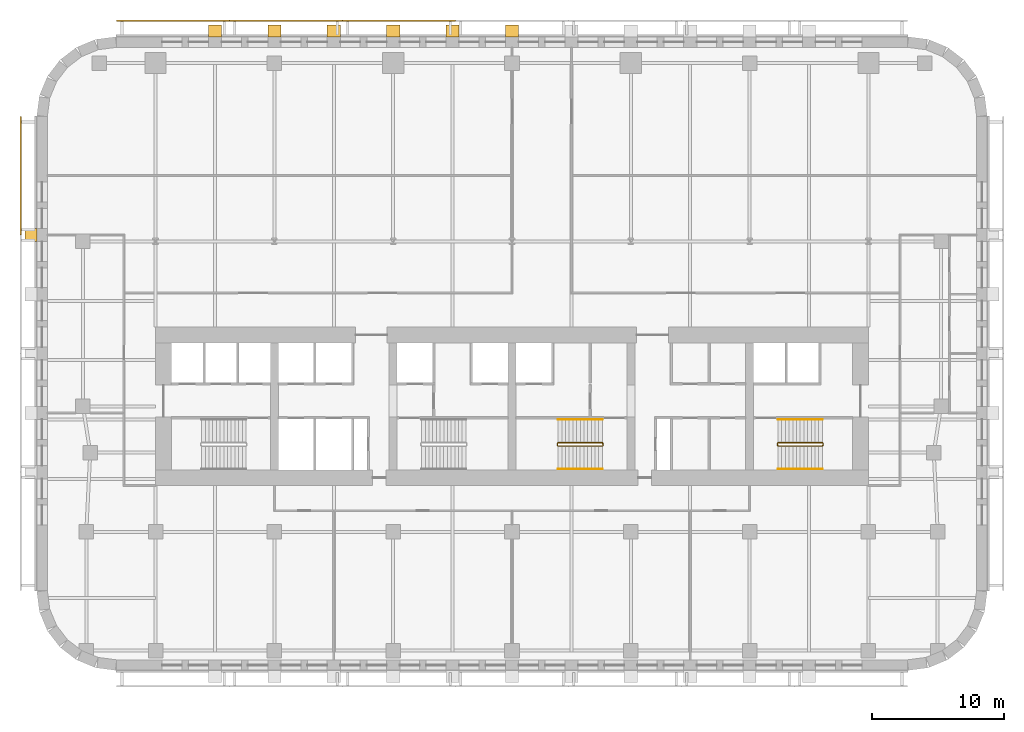
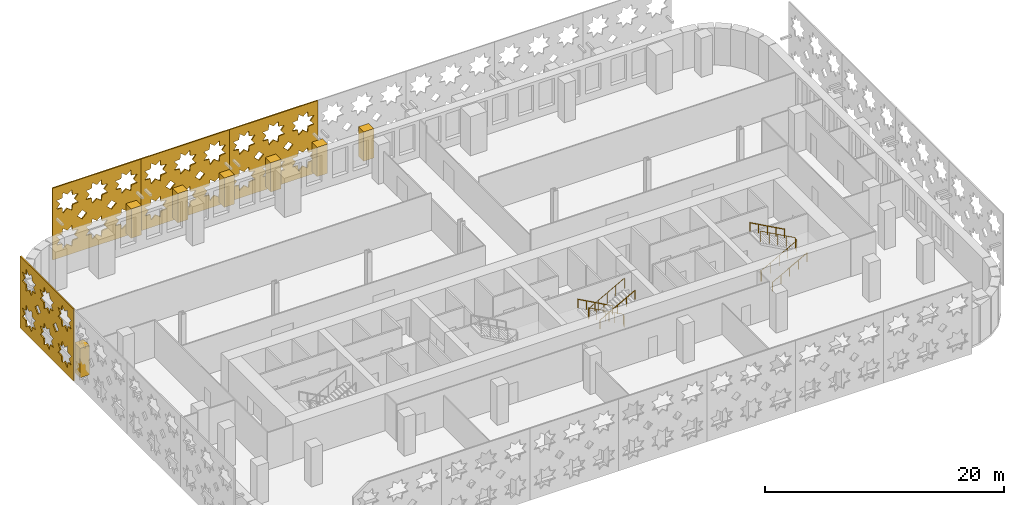
# One storey, part 13 of 15: 11 coverings, 6 railings.
"""IFC4 building model written with IfcOpenShell, lengths in metres."""

from ifc_helpers import new_model, si_unit, direction, frame, origin, origin_2d, place, context, subcontext, project, spatial, polyline, circle, outline, extrude, material, layer, layer_set, type_object, element, save


model = new_model("IFC4")

# Units and contexts
model_context = context("Model", 3, precision=1e-05, world=origin(), true_north=direction((0.0, 1.0)))
body_context = subcontext(model_context, "Body", "Model", "MODEL_VIEW")
ifc_project = project(units=[si_unit("LENGTHUNIT", "METRE"), si_unit("AREAUNIT", "SQUARE_METRE"), si_unit("VOLUMEUNIT", "CUBIC_METRE"), si_unit("PLANEANGLEUNIT", "RADIAN"), si_unit("MASSUNIT", "GRAM", prefix="KILO")], contexts=[model_context])

# Site, building, storey
site_placement = place(None, origin())
site = spatial("IfcSite", under=ifc_project, at=site_placement, CompositionType="ELEMENT")
building_placement = place(site_placement, origin())
building = spatial("IfcBuilding", under=site, at=building_placement, Name="Zellij Exchange Tower", CompositionType="ELEMENT")
storey_placement = place(building_placement, frame((0.0, 0.0, 84.5)))
storey = spatial("IfcBuildingStorey", under=building, at=storey_placement, Name="L17", CompositionType="ELEMENT", Elevation=84.5)

# Railings
ifc_material_1 = material(Name="Stainless steel", Category="steel")
railing_type_1 = type_object("IfcRailingType", Name="CORE-RG stair guard", PredefinedType="GUARDRAIL", material=ifc_material_1)
railing_1_placement = place(storey_placement, frame((6.89990234375, -10.800048828125, 0.0)))
element("IfcRailing", 1, at=railing_1_placement, inside=storey, type_object=railing_type_1, Name="ST3 stair guard L17", PredefinedType="GUARDRAIL", context=body_context, shape_type="SweptSolid", body=[
    extrude(circle(Radius=0.02392578125, at=origin_2d()), frame((0.0, 0.0, 1.076171875), z_axis=(0.0, -1.0, 0.0), x_axis=(1.0, 0.0, 0.0)), (0.0, 0.0, 1.0), 0.14990234375),
    extrude(circle(Radius=0.02392578125, at=origin_2d()), frame((0.0, -0.14990234375, 1.076171875), z_axis=(-0.193691321961, 0.777613689637, 0.598164376644), x_axis=(-0.970351222016, -0.241699205484, 0.0)), (0.0, 0.0, 1.0), 0.257080078125),
    extrude(circle(Radius=0.02392578125, at=origin_2d()), frame((-0.0498046875, 0.050048828125, 1.22998046875), z_axis=(-0.876421534553, 0.0, 0.481544695509), x_axis=(0.0, -1.0, 0.0)), (0.0, 0.0, 1.0), 3.833984375),
    extrude(circle(Radius=0.02392578125, at=origin_2d()), frame((-3.409912109375, 0.050048828125, 3.076171875), z_axis=(-0.707106781187, -0.707106781187, 0.0), x_axis=(0.707106781187, -0.707106781187, 0.0)), (0.0, 0.0, 1.0), 0.07080078125),
    extrude(circle(Radius=0.02392578125, at=origin_2d()), frame((-3.4599609375, 0.0, 3.076171875), z_axis=(0.0, -1.0, 0.0), x_axis=(1.0, 0.0, 0.0)), (0.0, 0.0, 1.0), 0.14990234375),
    extrude(circle(Radius=0.02392578125, at=origin_2d()), frame((-3.4599609375, -0.14990234375, 3.076171875), z_axis=(0.295599637079, -0.295599637079, 0.908428152975), x_axis=(0.707106781187, 0.707106781187, 0.0)), (0.0, 0.0, 1.0), 0.16943359375),
    extrude(circle(Radius=0.02392578125, at=origin_2d()), frame((-3.409912109375, -0.199951171875, 3.22998046875), z_axis=(0.876421534553, 0.0, 0.481544695509), x_axis=(0.0, 1.0, 0.0)), (0.0, 0.0, 1.0), 3.833984375),
    extrude(circle(Radius=0.02099609375, at=origin_2d()), origin(), (0.0, 0.0, 1.0), 1.052001953125),
    extrude(circle(Radius=0.02099609375, at=origin_2d()), frame((0.0, -0.14990234375, 0.0)), (0.0, 0.0, 1.0), 1.052001953125),
    extrude(circle(Radius=0.02099609375, at=origin_2d()), frame((-0.0498046875, 0.050048828125, 0.15380859375)), (0.0, 0.0, 1.0), 1.052001953125),
    extrude(circle(Radius=0.02099609375, at=origin_2d()), frame((-0.889892578125, 0.050048828125, 0.615234375)), (0.0, 0.0, 1.0), 1.052001953125),
    extrude(circle(Radius=0.02099609375, at=origin_2d()), frame((-1.72998046875, 0.050048828125, 1.076904296875)), (0.0, 0.0, 1.0), 1.052001953125),
    extrude(circle(Radius=0.02099609375, at=origin_2d()), frame((-2.56982421875, 0.050048828125, 1.53857421875)), (0.0, 0.0, 1.0), 1.052001953125),
    extrude(circle(Radius=0.02099609375, at=origin_2d()), frame((-3.409912109375, 0.050048828125, 2.0)), (0.0, 0.0, 1.0), 1.052001953125),
    extrude(circle(Radius=0.02099609375, at=origin_2d()), frame((-3.4599609375, 0.0, 2.0)), (0.0, 0.0, 1.0), 1.052001953125),
    extrude(circle(Radius=0.02099609375, at=origin_2d()), frame((-3.4599609375, -0.14990234375, 2.0)), (0.0, 0.0, 1.0), 1.052001953125),
    extrude(circle(Radius=0.02099609375, at=origin_2d()), frame((-3.409912109375, -0.199951171875, 2.15380859375)), (0.0, 0.0, 1.0), 1.052001953125),
    extrude(circle(Radius=0.02099609375, at=origin_2d()), frame((-2.56982421875, -0.199951171875, 2.615234375)), (0.0, 0.0, 1.0), 1.052001953125),
    extrude(circle(Radius=0.02099609375, at=origin_2d()), frame((-1.72998046875, -0.199951171875, 3.076904296875)), (0.0, 0.0, 1.0), 1.052001953125),
    extrude(circle(Radius=0.02099609375, at=origin_2d()), frame((-0.889892578125, -0.199951171875, 3.53857421875)), (0.0, 0.0, 1.0), 1.052001953125),
    extrude(circle(Radius=0.02099609375, at=origin_2d()), frame((-0.0498046875, -0.199951171875, 4.0)), (0.0, 0.0, 1.0), 1.052001953125),
])
railing_2_placement = place(storey_placement, frame((20.10009765625, -10.949951171875, 0.0)))
element("IfcRailing", 2, at=railing_2_placement, inside=storey, type_object=railing_type_1, Name="ST4 stair guard L17", PredefinedType="GUARDRAIL", context=body_context, shape_type="SweptSolid", body=[
    extrude(circle(Radius=0.02392578125, at=origin_2d()), frame((0.0, 0.0, 1.076171875), z_axis=(0.0, 1.0, 0.0), x_axis=(-1.0, 0.0, 0.0)), (0.0, 0.0, 1.0), 0.14990234375),
    extrude(circle(Radius=0.02392578125, at=origin_2d()), frame((0.0, 0.14990234375, 1.076171875), z_axis=(0.193691321961, -0.777613689637, 0.598164376644), x_axis=(0.970351222016, 0.241699205484, 0.0)), (0.0, 0.0, 1.0), 0.257080078125),
    extrude(circle(Radius=0.02392578125, at=origin_2d()), frame((0.0498046875, -0.050048828125, 1.22998046875), z_axis=(0.876421534553, 0.0, 0.481544695509), x_axis=(0.0, 1.0, 0.0)), (0.0, 0.0, 1.0), 3.833984375),
    extrude(circle(Radius=0.02392578125, at=origin_2d()), frame((3.409912109375, -0.050048828125, 3.076171875), z_axis=(0.707106781187, 0.707106781187, 0.0), x_axis=(-0.707106781187, 0.707106781187, 0.0)), (0.0, 0.0, 1.0), 0.07080078125),
    extrude(circle(Radius=0.02392578125, at=origin_2d()), frame((3.4599609375, 0.0, 3.076171875), z_axis=(0.0, 1.0, 0.0), x_axis=(-1.0, 0.0, 0.0)), (0.0, 0.0, 1.0), 0.14990234375),
    extrude(circle(Radius=0.02392578125, at=origin_2d()), frame((3.4599609375, 0.14990234375, 3.076171875), z_axis=(-0.295599637079, 0.295599637079, 0.908428152975), x_axis=(-0.707106781187, -0.707106781187, 0.0)), (0.0, 0.0, 1.0), 0.16943359375),
    extrude(circle(Radius=0.02392578125, at=origin_2d()), frame((3.409912109375, 0.199951171875, 3.22998046875), z_axis=(-0.876421534553, 0.0, 0.481544695509), x_axis=(0.0, -1.0, 0.0)), (0.0, 0.0, 1.0), 3.833984375),
    extrude(circle(Radius=0.02099609375, at=origin_2d()), origin(), (0.0, 0.0, 1.0), 1.052001953125),
    extrude(circle(Radius=0.02099609375, at=origin_2d()), frame((0.0, 0.14990234375, 0.0)), (0.0, 0.0, 1.0), 1.052001953125),
    extrude(circle(Radius=0.02099609375, at=origin_2d()), frame((0.0498046875, -0.050048828125, 0.15380859375)), (0.0, 0.0, 1.0), 1.052001953125),
    extrude(circle(Radius=0.02099609375, at=origin_2d()), frame((0.889892578125, -0.050048828125, 0.615234375)), (0.0, 0.0, 1.0), 1.052001953125),
    extrude(circle(Radius=0.02099609375, at=origin_2d()), frame((1.72998046875, -0.050048828125, 1.076904296875)), (0.0, 0.0, 1.0), 1.052001953125),
    extrude(circle(Radius=0.02099609375, at=origin_2d()), frame((2.56982421875, -0.050048828125, 1.53857421875)), (0.0, 0.0, 1.0), 1.052001953125),
    extrude(circle(Radius=0.02099609375, at=origin_2d()), frame((3.409912109375, -0.050048828125, 2.0)), (0.0, 0.0, 1.0), 1.052001953125),
    extrude(circle(Radius=0.02099609375, at=origin_2d()), frame((3.4599609375, 0.0, 2.0)), (0.0, 0.0, 1.0), 1.052001953125),
    extrude(circle(Radius=0.02099609375, at=origin_2d()), frame((3.4599609375, 0.14990234375, 2.0)), (0.0, 0.0, 1.0), 1.052001953125),
    extrude(circle(Radius=0.02099609375, at=origin_2d()), frame((3.409912109375, 0.199951171875, 2.15380859375)), (0.0, 0.0, 1.0), 1.052001953125),
    extrude(circle(Radius=0.02099609375, at=origin_2d()), frame((2.56982421875, 0.199951171875, 2.615234375)), (0.0, 0.0, 1.0), 1.052001953125),
    extrude(circle(Radius=0.02099609375, at=origin_2d()), frame((1.72998046875, 0.199951171875, 3.076904296875)), (0.0, 0.0, 1.0), 1.052001953125),
    extrude(circle(Radius=0.02099609375, at=origin_2d()), frame((0.889892578125, 0.199951171875, 3.53857421875)), (0.0, 0.0, 1.0), 1.052001953125),
    extrude(circle(Radius=0.02099609375, at=origin_2d()), frame((0.0498046875, 0.199951171875, 4.0)), (0.0, 0.0, 1.0), 1.052001953125),
])
railing_type_2 = type_object("IfcRailingType", Name="CORE-RH stair handrail", PredefinedType="HANDRAIL", material=ifc_material_1)
railing_3_placement = place(storey_placement, frame((6.85009765625, -9.0, 0.15380859375)))
element("IfcRailing", 3, at=railing_3_placement, inside=storey, type_object=railing_type_2, Name="ST3 stair handrail L17", PredefinedType="HANDRAIL", context=body_context, shape_type="SweptSolid", body=[
    extrude(circle(Radius=0.02392578125, at=origin_2d()), frame((0.0, 0.0, 0.8759765625), z_axis=(-0.876421534553, 0.0, 0.481544695509), x_axis=(0.0, -1.0, 0.0)), (0.0, 0.0, 1.0), 3.833984375),
    extrude(circle(Radius=0.02099609375, at=origin_2d()), origin(), (0.0, 0.0, 1.0), 0.851806640625),
    extrude(circle(Radius=0.02099609375, at=origin_2d()), frame((-0.840087890625, 0.0, 0.46142578125)), (0.0, 0.0, 1.0), 0.851806640625),
    extrude(circle(Radius=0.02099609375, at=origin_2d()), frame((-1.68017578125, 0.0, 0.923095703125)), (0.0, 0.0, 1.0), 0.851806640625),
    extrude(circle(Radius=0.02099609375, at=origin_2d()), frame((-2.52001953125, 0.0, 1.384765625)), (0.0, 0.0, 1.0), 0.851806640625),
    extrude(circle(Radius=0.02099609375, at=origin_2d()), frame((-3.360107421875, 0.0, 1.84619140625)), (0.0, 0.0, 1.0), 0.851806640625),
])
for number, where, name in (
    (4, (3.489990234375, -12.75, 2.15380859375), "ST3 stair handrail L17"),
    (5, (20.14990234375, -12.75, 0.15380859375), "ST4 stair handrail L17"),
):
    element("IfcRailing", number, at=place(storey_placement, frame(where)), inside=storey, type_object=railing_type_2, Name=name, PredefinedType="HANDRAIL", context=body_context, shape_type="SweptSolid", body=[
        extrude(circle(Radius=0.02392578125, at=origin_2d()), frame((0.0, 0.0, 0.8759765625), z_axis=(0.876421534553, 0.0, 0.481544695509), x_axis=(0.0, 1.0, 0.0)), (0.0, 0.0, 1.0), 3.833984375),
        extrude(circle(Radius=0.02099609375, at=origin_2d()), origin(), (0.0, 0.0, 1.0), 0.851806640625),
        extrude(circle(Radius=0.02099609375, at=origin_2d()), frame((0.840087890625, 0.0, 0.46142578125)), (0.0, 0.0, 1.0), 0.851806640625),
        extrude(circle(Radius=0.02099609375, at=origin_2d()), frame((1.68017578125, 0.0, 0.923095703125)), (0.0, 0.0, 1.0), 0.851806640625),
        extrude(circle(Radius=0.02099609375, at=origin_2d()), frame((2.52001953125, 0.0, 1.384765625)), (0.0, 0.0, 1.0), 0.851806640625),
        extrude(circle(Radius=0.02099609375, at=origin_2d()), frame((3.360107421875, 0.0, 1.84619140625)), (0.0, 0.0, 1.0), 0.851806640625),
    ])
railing_4_placement = place(storey_placement, frame((23.510009765625, -9.0, 2.15380859375)))
element("IfcRailing", 6, at=railing_4_placement, inside=storey, type_object=railing_type_2, Name="ST4 stair handrail L17", PredefinedType="HANDRAIL", context=body_context, shape_type="SweptSolid", body=[
    extrude(circle(Radius=0.02392578125, at=origin_2d()), frame((0.0, 0.0, 0.8759765625), z_axis=(-0.876421534553, 0.0, 0.481544695509), x_axis=(0.0, -1.0, 0.0)), (0.0, 0.0, 1.0), 3.833984375),
    extrude(circle(Radius=0.02099609375, at=origin_2d()), origin(), (0.0, 0.0, 1.0), 0.851806640625),
    extrude(circle(Radius=0.02099609375, at=origin_2d()), frame((-0.840087890625, 0.0, 0.46142578125)), (0.0, 0.0, 1.0), 0.851806640625),
    extrude(circle(Radius=0.02099609375, at=origin_2d()), frame((-1.68017578125, 0.0, 0.923095703125)), (0.0, 0.0, 1.0), 0.851806640625),
    extrude(circle(Radius=0.02099609375, at=origin_2d()), frame((-2.52001953125, 0.0, 1.384765625)), (0.0, 0.0, 1.0), 0.851806640625),
    extrude(circle(Radius=0.02099609375, at=origin_2d()), frame((-3.360107421875, 0.0, 1.84619140625)), (0.0, 0.0, 1.0), 0.851806640625),
])

# Coverings
ifc_material_2 = material(Name="Limestone cladding", Category="masonry")
covering_type_1 = type_object("IfcCoveringType", Name="ENV-CV2 Stone pier 1000x900", PredefinedType="CLADDING", material=ifc_material_2)
covering_1_placement = place(storey_placement, frame((0.0, 0.0, 0.800048828125)))
element("IfcCovering", 7, at=covering_1_placement, inside=storey, type_object=covering_type_1, Name="Stone pier", PredefinedType="CLADDING", context=body_context, shape_type="SweptSolid", body=[
    extrude(outline(polyline([(0.5, 20.0), (-0.5, 20.0), (-0.5, 20.89990234375), (0.5, 20.89990234375), (0.5, 20.0)])), origin(), (0.0, 0.0, 1.0), 3.0),
])
covering_2_placement = place(storey_placement, frame((0.0, 0.0, 0.800048828125)))
element("IfcCovering", 8, at=covering_2_placement, inside=storey, type_object=covering_type_1, Name="Stone pier", PredefinedType="CLADDING", context=body_context, shape_type="SweptSolid", body=[
    extrude(outline(polyline([(-4.0, 20.0), (-5.0, 20.0), (-5.0, 20.89990234375), (-4.0, 20.89990234375), (-4.0, 20.0)])), origin(), (0.0, 0.0, 1.0), 3.0),
])
covering_3_placement = place(storey_placement, frame((0.0, 0.0, 0.800048828125)))
element("IfcCovering", 9, at=covering_3_placement, inside=storey, type_object=covering_type_1, Name="Stone pier", PredefinedType="CLADDING", context=body_context, shape_type="SweptSolid", body=[
    extrude(outline(polyline([(-8.5, 20.0), (-9.5, 20.0), (-9.5, 20.89990234375), (-8.5, 20.89990234375), (-8.5, 20.0)])), origin(), (0.0, 0.0, 1.0), 3.0),
])
covering_4_placement = place(storey_placement, frame((0.0, 0.0, 0.800048828125)))
element("IfcCovering", 10, at=covering_4_placement, inside=storey, type_object=covering_type_1, Name="Stone pier", PredefinedType="CLADDING", context=body_context, shape_type="SweptSolid", body=[
    extrude(outline(polyline([(-13.0, 20.0), (-14.0, 20.0), (-14.0, 20.89990234375), (-13.0, 20.89990234375), (-13.0, 20.0)])), origin(), (0.0, 0.0, 1.0), 3.0),
])
covering_5_placement = place(storey_placement, frame((0.0, 0.0, 0.800048828125)))
element("IfcCovering", 11, at=covering_5_placement, inside=storey, type_object=covering_type_1, Name="Stone pier", PredefinedType="CLADDING", context=body_context, shape_type="SweptSolid", body=[
    extrude(outline(polyline([(-17.5, 20.0), (-18.5, 20.0), (-18.5, 20.89990234375), (-17.5, 20.89990234375), (-17.5, 20.0)])), origin(), (0.0, 0.0, 1.0), 3.0),
])
covering_6_placement = place(storey_placement, frame((0.0, 0.0, 0.800048828125)))
element("IfcCovering", 12, at=covering_6_placement, inside=storey, type_object=covering_type_1, Name="Stone pier", PredefinedType="CLADDING", context=body_context, shape_type="SweptSolid", body=[
    extrude(outline(polyline([(-22.0, 20.0), (-23.0, 20.0), (-23.0, 20.89990234375), (-22.0, 20.89990234375), (-22.0, 20.0)])), origin(), (0.0, 0.0, 1.0), 3.0),
])
covering_7_placement = place(storey_placement, frame((0.0, 0.0, 0.800048828125)))
element("IfcCovering", 13, at=covering_7_placement, inside=storey, type_object=covering_type_1, Name="Stone pier", PredefinedType="CLADDING", context=body_context, shape_type="SweptSolid", body=[
    extrude(outline(polyline([(-36.0, 5.48681640625), (-36.0, 4.48681640625), (-36.89990234375, 4.48681640625), (-36.89990234375, 5.48681640625), (-36.0, 5.48681640625)])), origin(), (0.0, 0.0, 1.0), 3.0),
])
ifc_material_3 = material(Name="Limestone screen", Category="masonry")
ifc_layer = layer(ifc_material_3, 0.1201171875)
ifc_layer_set = layer_set([ifc_layer], Name="Limestone screen")
covering_type_2 = type_object("IfcCoveringType", Name="ENV-SC1 Pierced stone screen 120", PredefinedType="USERDEFINED", material=ifc_layer_set)
covering_8_placement = place(storey_placement, frame((-37.2099609375, 13.947509765625, 0.300048828125), z_axis=(0.0, 0.0, 1.0), x_axis=(0.0, -1.0, 0.0)))
element("IfcCovering", 14, at=covering_8_placement, inside=storey, type_object=covering_type_2, Name="Pierced stone screen", ObjectType="SCREEN", PredefinedType="USERDEFINED", context=body_context, shape_type="SweptSolid", body=[
    extrude(outline(polyline([(0.0, 0.0), (8.973876953125, 0.0), (8.973876953125, 7.35009765625), (0.0, 7.35009765625), (0.0, 0.0)]), holes=[polyline([(2.60107421875, 2.29541015625), (2.020263671875, 2.362060546875), (1.95361328125, 2.94287109375), (1.49560546875, 2.579345703125), (1.03759765625, 2.94287109375), (0.97119140625, 2.362060546875), (0.39013671875, 2.29541015625), (0.75390625, 1.83740234375), (0.39013671875, 1.379638671875), (0.97119140625, 1.31298828125), (1.03759765625, 0.732177734375), (1.49560546875, 1.095703125), (1.95361328125, 0.732177734375), (2.020263671875, 1.31298828125), (2.60107421875, 1.379638671875), (2.237548828125, 1.83740234375), (2.60107421875, 2.29541015625)]), polyline([(2.60107421875, 5.970458984375), (2.020263671875, 6.037109375), (1.95361328125, 6.617919921875), (1.49560546875, 6.25439453125), (1.03759765625, 6.617919921875), (0.97119140625, 6.037109375), (0.39013671875, 5.970458984375), (0.75390625, 5.512451171875), (0.39013671875, 5.0546875), (0.97119140625, 4.98779296875), (1.03759765625, 4.406982421875), (1.49560546875, 4.770751953125), (1.95361328125, 4.406982421875), (2.020263671875, 4.98779296875), (2.60107421875, 5.0546875), (2.237548828125, 5.512451171875), (2.60107421875, 5.970458984375)]), polyline([(5.59228515625, 2.29541015625), (5.011474609375, 2.362060546875), (4.94482421875, 2.94287109375), (4.48681640625, 2.579345703125), (4.029052734375, 2.94287109375), (3.96240234375, 2.362060546875), (3.381591796875, 2.29541015625), (3.7451171875, 1.83740234375), (3.381591796875, 1.379638671875), (3.96240234375, 1.31298828125), (4.029052734375, 0.732177734375), (4.48681640625, 1.095703125), (4.94482421875, 0.732177734375), (5.011474609375, 1.31298828125), (5.59228515625, 1.379638671875), (5.228759765625, 1.83740234375), (5.59228515625, 2.29541015625)]), polyline([(5.59228515625, 5.970458984375), (5.011474609375, 6.037109375), (4.94482421875, 6.617919921875), (4.48681640625, 6.25439453125), (4.029052734375, 6.617919921875), (3.96240234375, 6.037109375), (3.381591796875, 5.970458984375), (3.7451171875, 5.512451171875), (3.381591796875, 5.0546875), (3.96240234375, 4.98779296875), (4.029052734375, 4.406982421875), (4.48681640625, 4.770751953125), (4.94482421875, 4.406982421875), (5.011474609375, 4.98779296875), (5.59228515625, 5.0546875), (5.228759765625, 5.512451171875), (5.59228515625, 5.970458984375)]), polyline([(8.58349609375, 2.29541015625), (8.002685546875, 2.362060546875), (7.93603515625, 2.94287109375), (7.478271484375, 2.579345703125), (7.020263671875, 2.94287109375), (6.95361328125, 2.362060546875), (6.372802734375, 2.29541015625), (6.736328125, 1.83740234375), (6.372802734375, 1.379638671875), (6.95361328125, 1.31298828125), (7.020263671875, 0.732177734375), (7.478271484375, 1.095703125), (7.93603515625, 0.732177734375), (8.002685546875, 1.31298828125), (8.58349609375, 1.379638671875), (8.219970703125, 1.83740234375), (8.58349609375, 2.29541015625)]), polyline([(8.58349609375, 5.970458984375), (8.002685546875, 6.037109375), (7.93603515625, 6.617919921875), (7.478271484375, 6.25439453125), (7.020263671875, 6.617919921875), (6.95361328125, 6.037109375), (6.372802734375, 5.970458984375), (6.736328125, 5.512451171875), (6.372802734375, 5.0546875), (6.95361328125, 4.98779296875), (7.020263671875, 4.406982421875), (7.478271484375, 4.770751953125), (7.93603515625, 4.406982421875), (8.002685546875, 4.98779296875), (8.58349609375, 5.0546875), (8.219970703125, 5.512451171875), (8.58349609375, 5.970458984375)]), polyline([(3.469970703125, 3.675048828125), (2.9912109375, 4.153564453125), (2.5126953125, 3.675048828125), (2.9912109375, 3.1962890625), (3.469970703125, 3.675048828125)]), polyline([(6.461181640625, 3.675048828125), (5.982421875, 4.153564453125), (5.50390625, 3.675048828125), (5.982421875, 3.1962890625), (6.461181640625, 3.675048828125)])]), frame((0.0, 0.06005859375, 0.0), z_axis=(0.0, -1.0, 0.0), x_axis=(1.0, 0.0, 0.0)), (0.0, 0.0, 1.0), 0.1201171875),
])
covering_9_placement = place(storey_placement, frame((-4.2783203125, 21.2099609375, 0.300048828125), z_axis=(0.0, 0.0, 1.0), x_axis=(-1.0, 0.0, 0.0)))
element("IfcCovering", 15, at=covering_9_placement, inside=storey, type_object=covering_type_2, Name="Pierced stone screen", ObjectType="SCREEN", PredefinedType="USERDEFINED", context=body_context, shape_type="SweptSolid", body=[
    extrude(outline(polyline([(0.0, 0.0), (8.556396484375, 0.0), (8.556396484375, 7.35009765625), (0.0, 7.35009765625), (0.0, 0.0)]), holes=[polyline([(2.47998046875, 2.274169921875), (1.92626953125, 2.337646484375), (1.86279296875, 2.8916015625), (1.426025390625, 2.544921875), (0.989501953125, 2.8916015625), (0.92578125, 2.337646484375), (0.3720703125, 2.274169921875), (0.71875, 1.83740234375), (0.3720703125, 1.40087890625), (0.92578125, 1.33740234375), (0.989501953125, 0.783447265625), (1.426025390625, 1.130126953125), (1.86279296875, 0.783447265625), (1.92626953125, 1.33740234375), (2.47998046875, 1.40087890625), (2.13330078125, 1.83740234375), (2.47998046875, 2.274169921875)]), polyline([(2.47998046875, 5.94921875), (1.92626953125, 6.0126953125), (1.86279296875, 6.56640625), (1.426025390625, 6.2197265625), (0.989501953125, 6.56640625), (0.92578125, 6.0126953125), (0.3720703125, 5.94921875), (0.71875, 5.512451171875), (0.3720703125, 5.075927734375), (0.92578125, 5.01220703125), (0.989501953125, 4.45849609375), (1.426025390625, 4.80517578125), (1.86279296875, 4.45849609375), (1.92626953125, 5.01220703125), (2.47998046875, 5.075927734375), (2.13330078125, 5.512451171875), (2.47998046875, 5.94921875)]), polyline([(5.332275390625, 2.274169921875), (4.7783203125, 2.337646484375), (4.71484375, 2.8916015625), (4.2783203125, 2.544921875), (3.841552734375, 2.8916015625), (3.778076171875, 2.337646484375), (3.22412109375, 2.274169921875), (3.57080078125, 1.83740234375), (3.22412109375, 1.40087890625), (3.778076171875, 1.33740234375), (3.841552734375, 0.783447265625), (4.2783203125, 1.130126953125), (4.71484375, 0.783447265625), (4.7783203125, 1.33740234375), (5.332275390625, 1.40087890625), (4.985595703125, 1.83740234375), (5.332275390625, 2.274169921875)]), polyline([(5.332275390625, 5.94921875), (4.7783203125, 6.0126953125), (4.71484375, 6.56640625), (4.2783203125, 6.2197265625), (3.841552734375, 6.56640625), (3.778076171875, 6.0126953125), (3.22412109375, 5.94921875), (3.57080078125, 5.512451171875), (3.22412109375, 5.075927734375), (3.778076171875, 5.01220703125), (3.841552734375, 4.45849609375), (4.2783203125, 4.80517578125), (4.71484375, 4.45849609375), (4.7783203125, 5.01220703125), (5.332275390625, 5.075927734375), (4.985595703125, 5.512451171875), (5.332275390625, 5.94921875)]), polyline([(8.184326171875, 2.274169921875), (7.630615234375, 2.337646484375), (7.56689453125, 2.8916015625), (7.13037109375, 2.544921875), (6.69384765625, 2.8916015625), (6.630126953125, 2.337646484375), (6.076416015625, 2.274169921875), (6.423095703125, 1.83740234375), (6.076416015625, 1.40087890625), (6.630126953125, 1.33740234375), (6.69384765625, 0.783447265625), (7.13037109375, 1.130126953125), (7.56689453125, 0.783447265625), (7.630615234375, 1.33740234375), (8.184326171875, 1.40087890625), (7.837646484375, 1.83740234375), (8.184326171875, 2.274169921875)]), polyline([(8.184326171875, 5.94921875), (7.630615234375, 6.0126953125), (7.56689453125, 6.56640625), (7.13037109375, 6.2197265625), (6.69384765625, 6.56640625), (6.630126953125, 6.0126953125), (6.076416015625, 5.94921875), (6.423095703125, 5.512451171875), (6.076416015625, 5.075927734375), (6.630126953125, 5.01220703125), (6.69384765625, 4.45849609375), (7.13037109375, 4.80517578125), (7.56689453125, 4.45849609375), (7.630615234375, 5.01220703125), (8.184326171875, 5.075927734375), (7.837646484375, 5.512451171875), (8.184326171875, 5.94921875)]), polyline([(3.30859375, 3.675048828125), (2.852294921875, 4.13134765625), (2.395751953125, 3.675048828125), (2.852294921875, 3.21875), (3.30859375, 3.675048828125)]), polyline([(6.16064453125, 3.675048828125), (5.704345703125, 4.13134765625), (5.248046875, 3.675048828125), (5.704345703125, 3.21875), (6.16064453125, 3.675048828125)])]), frame((0.0, 0.06005859375, 0.0), z_axis=(0.0, -1.0, 0.0), x_axis=(1.0, 0.0, 0.0)), (0.0, 0.0, 1.0), 0.1201171875),
])
covering_10_placement = place(storey_placement, frame((-12.834716796875, 21.2099609375, 0.300048828125), z_axis=(0.0, 0.0, 1.0), x_axis=(-1.0, 0.0, 0.0)))
element("IfcCovering", 16, at=covering_10_placement, inside=storey, type_object=covering_type_2, Name="Pierced stone screen", ObjectType="SCREEN", PredefinedType="USERDEFINED", context=body_context, shape_type="SweptSolid", body=[
    extrude(outline(polyline([(0.0, 0.0), (8.556396484375, 0.0), (8.556396484375, 7.35009765625), (0.0, 7.35009765625), (0.0, 0.0)]), holes=[polyline([(2.47998046875, 2.274169921875), (1.92626953125, 2.337646484375), (1.86279296875, 2.8916015625), (1.426025390625, 2.544921875), (0.989501953125, 2.8916015625), (0.92578125, 2.337646484375), (0.3720703125, 2.274169921875), (0.71875, 1.83740234375), (0.3720703125, 1.40087890625), (0.92578125, 1.33740234375), (0.989501953125, 0.783447265625), (1.426025390625, 1.130126953125), (1.86279296875, 0.783447265625), (1.92626953125, 1.33740234375), (2.47998046875, 1.40087890625), (2.13330078125, 1.83740234375), (2.47998046875, 2.274169921875)]), polyline([(2.47998046875, 5.94921875), (1.92626953125, 6.0126953125), (1.86279296875, 6.56640625), (1.426025390625, 6.2197265625), (0.989501953125, 6.56640625), (0.92578125, 6.0126953125), (0.3720703125, 5.94921875), (0.71875, 5.512451171875), (0.3720703125, 5.075927734375), (0.92578125, 5.01220703125), (0.989501953125, 4.45849609375), (1.426025390625, 4.80517578125), (1.86279296875, 4.45849609375), (1.92626953125, 5.01220703125), (2.47998046875, 5.075927734375), (2.13330078125, 5.512451171875), (2.47998046875, 5.94921875)]), polyline([(5.332275390625, 2.274169921875), (4.7783203125, 2.337646484375), (4.71484375, 2.8916015625), (4.2783203125, 2.544921875), (3.841552734375, 2.8916015625), (3.778076171875, 2.337646484375), (3.22412109375, 2.274169921875), (3.57080078125, 1.83740234375), (3.22412109375, 1.40087890625), (3.778076171875, 1.33740234375), (3.841552734375, 0.783447265625), (4.2783203125, 1.130126953125), (4.71484375, 0.783447265625), (4.7783203125, 1.33740234375), (5.332275390625, 1.40087890625), (4.985595703125, 1.83740234375), (5.332275390625, 2.274169921875)]), polyline([(5.332275390625, 5.94921875), (4.7783203125, 6.0126953125), (4.71484375, 6.56640625), (4.2783203125, 6.2197265625), (3.841552734375, 6.56640625), (3.778076171875, 6.0126953125), (3.22412109375, 5.94921875), (3.57080078125, 5.512451171875), (3.22412109375, 5.075927734375), (3.778076171875, 5.01220703125), (3.841552734375, 4.45849609375), (4.2783203125, 4.80517578125), (4.71484375, 4.45849609375), (4.7783203125, 5.01220703125), (5.332275390625, 5.075927734375), (4.985595703125, 5.512451171875), (5.332275390625, 5.94921875)]), polyline([(8.184326171875, 2.274169921875), (7.630615234375, 2.337646484375), (7.56689453125, 2.8916015625), (7.13037109375, 2.544921875), (6.69384765625, 2.8916015625), (6.630126953125, 2.337646484375), (6.076416015625, 2.274169921875), (6.423095703125, 1.83740234375), (6.076416015625, 1.40087890625), (6.630126953125, 1.33740234375), (6.69384765625, 0.783447265625), (7.13037109375, 1.130126953125), (7.56689453125, 0.783447265625), (7.630615234375, 1.33740234375), (8.184326171875, 1.40087890625), (7.837646484375, 1.83740234375), (8.184326171875, 2.274169921875)]), polyline([(8.184326171875, 5.94921875), (7.630615234375, 6.0126953125), (7.56689453125, 6.56640625), (7.13037109375, 6.2197265625), (6.69384765625, 6.56640625), (6.630126953125, 6.0126953125), (6.076416015625, 5.94921875), (6.423095703125, 5.512451171875), (6.076416015625, 5.075927734375), (6.630126953125, 5.01220703125), (6.69384765625, 4.45849609375), (7.13037109375, 4.80517578125), (7.56689453125, 4.45849609375), (7.630615234375, 5.01220703125), (8.184326171875, 5.075927734375), (7.837646484375, 5.512451171875), (8.184326171875, 5.94921875)]), polyline([(3.30859375, 3.675048828125), (2.852294921875, 4.13134765625), (2.395751953125, 3.675048828125), (2.852294921875, 3.21875), (3.30859375, 3.675048828125)]), polyline([(6.16064453125, 3.675048828125), (5.704345703125, 4.13134765625), (5.248046875, 3.675048828125), (5.704345703125, 3.21875), (6.16064453125, 3.675048828125)])]), frame((0.0, 0.06005859375, 0.0), z_axis=(0.0, -1.0, 0.0), x_axis=(1.0, 0.0, 0.0)), (0.0, 0.0, 1.0), 0.1201171875),
])
covering_11_placement = place(storey_placement, frame((-21.39111328125, 21.2099609375, 0.300048828125), z_axis=(0.0, 0.0, 1.0), x_axis=(-1.0, 0.0, 0.0)))
element("IfcCovering", 17, at=covering_11_placement, inside=storey, type_object=covering_type_2, Name="Pierced stone screen", ObjectType="SCREEN", PredefinedType="USERDEFINED", context=body_context, shape_type="SweptSolid", body=[
    extrude(outline(polyline([(0.0, 0.0), (8.556396484375, 0.0), (8.556396484375, 7.35009765625), (0.0, 7.35009765625), (0.0, 0.0)]), holes=[polyline([(2.47998046875, 2.274169921875), (1.92626953125, 2.337646484375), (1.86279296875, 2.8916015625), (1.426025390625, 2.544921875), (0.989501953125, 2.8916015625), (0.92578125, 2.337646484375), (0.3720703125, 2.274169921875), (0.71875, 1.83740234375), (0.3720703125, 1.40087890625), (0.92578125, 1.33740234375), (0.989501953125, 0.783447265625), (1.426025390625, 1.130126953125), (1.86279296875, 0.783447265625), (1.92626953125, 1.33740234375), (2.47998046875, 1.40087890625), (2.13330078125, 1.83740234375), (2.47998046875, 2.274169921875)]), polyline([(2.47998046875, 5.94921875), (1.92626953125, 6.0126953125), (1.86279296875, 6.56640625), (1.426025390625, 6.2197265625), (0.989501953125, 6.56640625), (0.92578125, 6.0126953125), (0.3720703125, 5.94921875), (0.71875, 5.512451171875), (0.3720703125, 5.075927734375), (0.92578125, 5.01220703125), (0.989501953125, 4.45849609375), (1.426025390625, 4.80517578125), (1.86279296875, 4.45849609375), (1.92626953125, 5.01220703125), (2.47998046875, 5.075927734375), (2.13330078125, 5.512451171875), (2.47998046875, 5.94921875)]), polyline([(5.332275390625, 2.274169921875), (4.7783203125, 2.337646484375), (4.71484375, 2.8916015625), (4.2783203125, 2.544921875), (3.841552734375, 2.8916015625), (3.778076171875, 2.337646484375), (3.22412109375, 2.274169921875), (3.57080078125, 1.83740234375), (3.22412109375, 1.40087890625), (3.778076171875, 1.33740234375), (3.841552734375, 0.783447265625), (4.2783203125, 1.130126953125), (4.71484375, 0.783447265625), (4.7783203125, 1.33740234375), (5.332275390625, 1.40087890625), (4.985595703125, 1.83740234375), (5.332275390625, 2.274169921875)]), polyline([(5.332275390625, 5.94921875), (4.7783203125, 6.0126953125), (4.71484375, 6.56640625), (4.2783203125, 6.2197265625), (3.841552734375, 6.56640625), (3.778076171875, 6.0126953125), (3.22412109375, 5.94921875), (3.57080078125, 5.512451171875), (3.22412109375, 5.075927734375), (3.778076171875, 5.01220703125), (3.841552734375, 4.45849609375), (4.2783203125, 4.80517578125), (4.71484375, 4.45849609375), (4.7783203125, 5.01220703125), (5.332275390625, 5.075927734375), (4.985595703125, 5.512451171875), (5.332275390625, 5.94921875)]), polyline([(8.184326171875, 2.274169921875), (7.630615234375, 2.337646484375), (7.56689453125, 2.8916015625), (7.13037109375, 2.544921875), (6.69384765625, 2.8916015625), (6.630126953125, 2.337646484375), (6.076416015625, 2.274169921875), (6.423095703125, 1.83740234375), (6.076416015625, 1.40087890625), (6.630126953125, 1.33740234375), (6.69384765625, 0.783447265625), (7.13037109375, 1.130126953125), (7.56689453125, 0.783447265625), (7.630615234375, 1.33740234375), (8.184326171875, 1.40087890625), (7.837646484375, 1.83740234375), (8.184326171875, 2.274169921875)]), polyline([(8.184326171875, 5.94921875), (7.630615234375, 6.0126953125), (7.56689453125, 6.56640625), (7.13037109375, 6.2197265625), (6.69384765625, 6.56640625), (6.630126953125, 6.0126953125), (6.076416015625, 5.94921875), (6.423095703125, 5.512451171875), (6.076416015625, 5.075927734375), (6.630126953125, 5.01220703125), (6.69384765625, 4.45849609375), (7.13037109375, 4.80517578125), (7.56689453125, 4.45849609375), (7.630615234375, 5.01220703125), (8.184326171875, 5.075927734375), (7.837646484375, 5.512451171875), (8.184326171875, 5.94921875)]), polyline([(3.30859375, 3.675048828125), (2.852294921875, 4.13134765625), (2.395751953125, 3.675048828125), (2.852294921875, 3.21875), (3.30859375, 3.675048828125)]), polyline([(6.16064453125, 3.675048828125), (5.704345703125, 4.13134765625), (5.248046875, 3.675048828125), (5.704345703125, 3.21875), (6.16064453125, 3.675048828125)])]), frame((0.0, 0.06005859375, 0.0), z_axis=(0.0, -1.0, 0.0), x_axis=(1.0, 0.0, 0.0)), (0.0, 0.0, 1.0), 0.1201171875),
])

save(model, "model.ifc")
